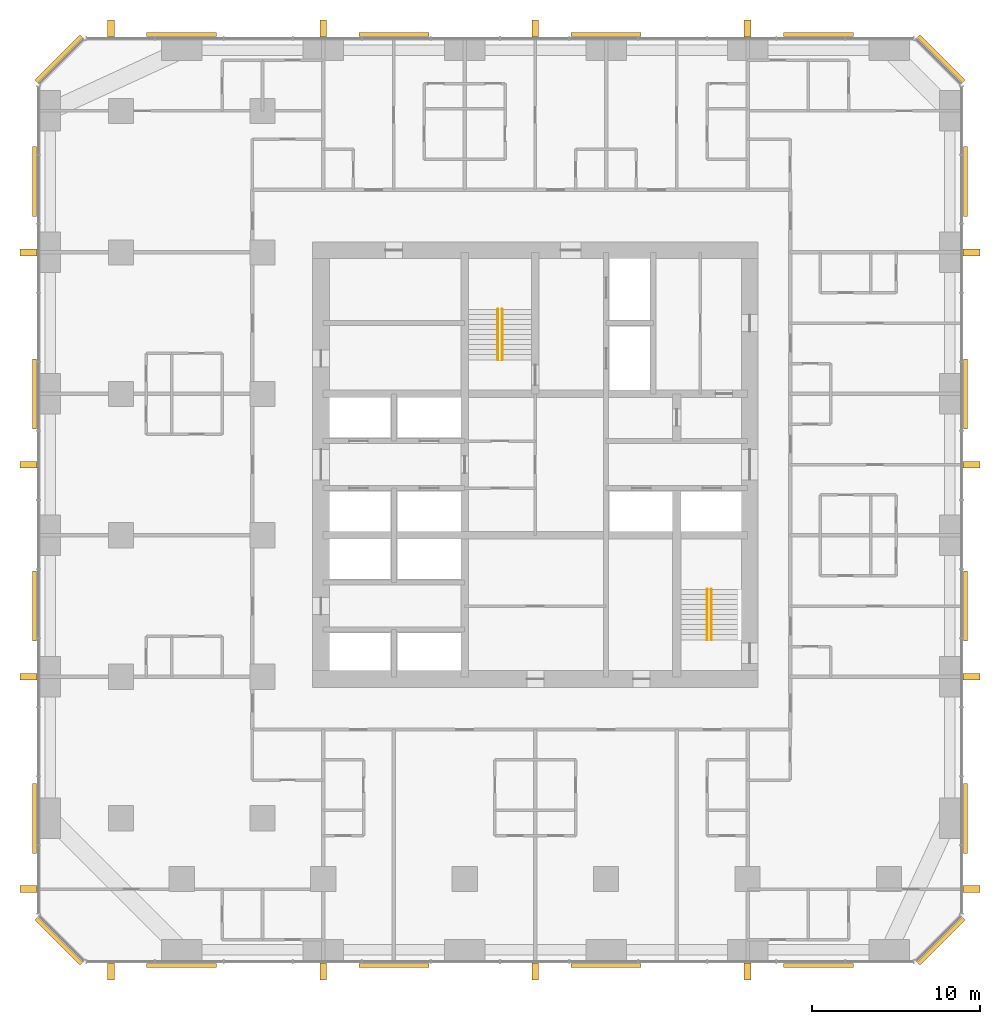
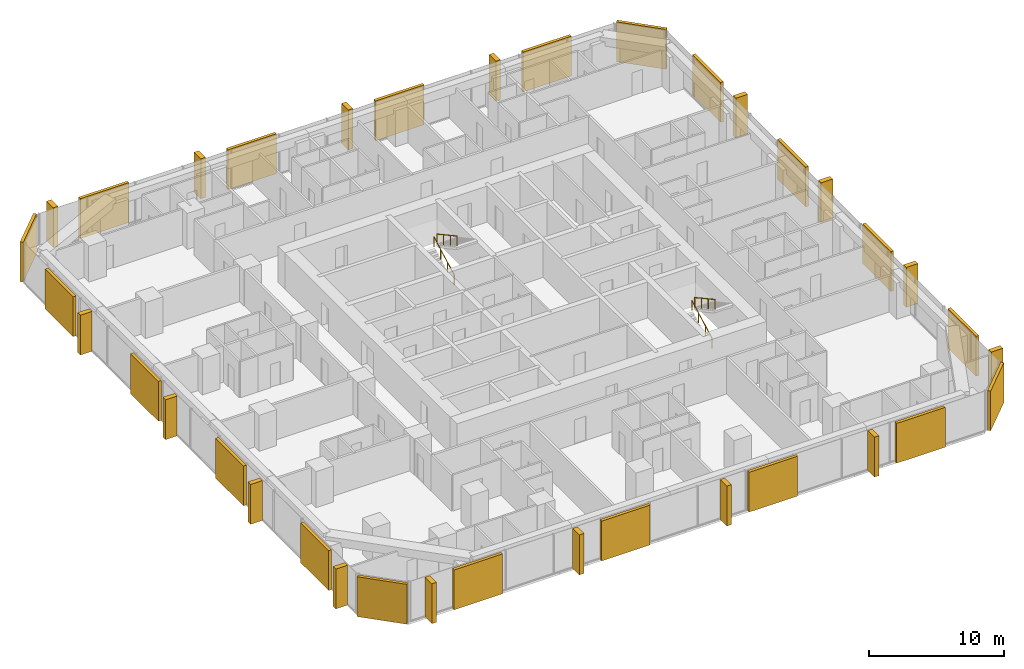
# One storey, part 14 of 14: 20 coverings, 16 shading devices, 4 railings.
"""IFC4 building model written with IfcOpenShell, lengths in metres."""

from ifc_helpers import new_model, si_unit, direction, frame, origin, origin_2d, place, context, subcontext, project, spatial, rectangle, circle, extrude, material, layer, layer_set, type_object, element, save


model = new_model("IFC4")

# Units and contexts
model_context = context("Model", 3, precision=1e-05, world=origin(), true_north=direction((0.0, 1.0)))
body_context = subcontext(model_context, "Body", "Model", "MODEL_VIEW")
ifc_project = project(units=[si_unit("LENGTHUNIT", "METRE"), si_unit("AREAUNIT", "SQUARE_METRE"), si_unit("VOLUMEUNIT", "CUBIC_METRE"), si_unit("PLANEANGLEUNIT", "RADIAN"), si_unit("MASSUNIT", "GRAM", prefix="KILO")], contexts=[model_context])

# Site, building, storey
site_placement = place(None, origin())
site = spatial("IfcSite", under=ifc_project, at=site_placement, CompositionType="ELEMENT")
building_placement = place(site_placement, origin())
building = spatial("IfcBuilding", under=site, at=building_placement, Name="Dunama Terrace Hotel", CompositionType="ELEMENT")
storey_placement = place(building_placement, frame((0.0, 0.0, 122.39990234375)))
storey = spatial("IfcBuildingStorey", under=building, at=storey_placement, Name="L31", CompositionType="ELEMENT", Elevation=122.39990234375)

# Railings
ifc_material_1 = material(Name="Stainless steel handrail", Category="steel")
railing_type = type_object("IfcRailingType", Name="Stair handrail 900", PredefinedType="HANDRAIL", material=ifc_material_1)
railing_1_placement = place(storey_placement, frame((27.175048828125, 35.625, 0.163818359375)))
element("IfcRailing", 1, at=railing_1_placement, inside=storey, type_object=railing_type, Name="Handrail ST1 L31", PredefinedType="HANDRAIL", context=body_context, shape_type="SweptSolid", body=[
    extrude(circle(Radius=0.02392578125, at=origin_2d()), frame((0.0, 0.0, 0.8759765625), z_axis=(0.0, 0.877911954615, 0.47882209634), x_axis=(-1.0, 0.0, 0.0)), (0.0, 0.0, 1.0), 3.417236328125),
    extrude(circle(Radius=0.02099609375, at=origin_2d()), origin(), (0.0, 0.0, 1.0), 0.851806640625),
    extrude(circle(Radius=0.02099609375, at=origin_2d()), frame((0.0, 1.0, 0.54541015625)), (0.0, 0.0, 1.0), 0.851806640625),
    extrude(circle(Radius=0.02099609375, at=origin_2d()), frame((0.0, 2.0, 1.0908203125)), (0.0, 0.0, 1.0), 0.851806640625),
    extrude(circle(Radius=0.02099609375, at=origin_2d()), frame((0.0, 3.0, 1.63623046875)), (0.0, 0.0, 1.0), 0.851806640625),
])
railing_2_placement = place(storey_placement, frame((27.425048828125, 38.625, 1.963623046875)))
element("IfcRailing", 2, at=railing_2_placement, inside=storey, type_object=railing_type, Name="Handrail ST1 L31", PredefinedType="HANDRAIL", context=body_context, shape_type="SweptSolid", body=[
    extrude(circle(Radius=0.02392578125, at=origin_2d()), frame((0.0, 0.0, 0.8759765625), z_axis=(0.0, -0.877881921179, 0.478877158013), x_axis=(1.0, 0.0, 0.0)), (0.0, 0.0, 1.0), 3.417236328125),
    extrude(circle(Radius=0.02099609375, at=origin_2d()), origin(), (0.0, 0.0, 1.0), 0.851806640625),
    extrude(circle(Radius=0.02099609375, at=origin_2d()), frame((0.0, -1.0, 0.54541015625)), (0.0, 0.0, 1.0), 0.851806640625),
    extrude(circle(Radius=0.02099609375, at=origin_2d()), frame((0.0, -2.0, 1.091064453125)), (0.0, 0.0, 1.0), 0.851806640625),
    extrude(circle(Radius=0.02099609375, at=origin_2d()), frame((0.0, -3.0, 1.636474609375)), (0.0, 0.0, 1.0), 0.851806640625),
])
railing_3_placement = place(storey_placement, frame((39.60009765625, 19.0, 0.163818359375)))
element("IfcRailing", 3, at=railing_3_placement, inside=storey, type_object=railing_type, Name="Handrail ST2 L31", PredefinedType="HANDRAIL", context=body_context, shape_type="SweptSolid", body=[
    extrude(circle(Radius=0.02392578125, at=origin_2d()), frame((0.0, 0.0, 0.8759765625), z_axis=(0.0, 0.877911954615, 0.47882209634), x_axis=(-1.0, 0.0, 0.0)), (0.0, 0.0, 1.0), 3.417236328125),
    extrude(circle(Radius=0.02099609375, at=origin_2d()), origin(), (0.0, 0.0, 1.0), 0.851806640625),
    extrude(circle(Radius=0.02099609375, at=origin_2d()), frame((0.0, 1.0, 0.54541015625)), (0.0, 0.0, 1.0), 0.851806640625),
    extrude(circle(Radius=0.02099609375, at=origin_2d()), frame((0.0, 2.0, 1.0908203125)), (0.0, 0.0, 1.0), 0.851806640625),
    extrude(circle(Radius=0.02099609375, at=origin_2d()), frame((0.0, 3.0, 1.63623046875)), (0.0, 0.0, 1.0), 0.851806640625),
])
railing_4_placement = place(storey_placement, frame((39.85009765625, 22.0, 1.963623046875)))
element("IfcRailing", 4, at=railing_4_placement, inside=storey, type_object=railing_type, Name="Handrail ST2 L31", PredefinedType="HANDRAIL", context=body_context, shape_type="SweptSolid", body=[
    extrude(circle(Radius=0.02392578125, at=origin_2d()), frame((0.0, 0.0, 0.8759765625), z_axis=(0.0, -0.877881921179, 0.478877158013), x_axis=(1.0, 0.0, 0.0)), (0.0, 0.0, 1.0), 3.417236328125),
    extrude(circle(Radius=0.02099609375, at=origin_2d()), origin(), (0.0, 0.0, 1.0), 0.851806640625),
    extrude(circle(Radius=0.02099609375, at=origin_2d()), frame((0.0, -1.0, 0.54541015625)), (0.0, 0.0, 1.0), 0.851806640625),
    extrude(circle(Radius=0.02099609375, at=origin_2d()), frame((0.0, -2.0, 1.091064453125)), (0.0, 0.0, 1.0), 0.851806640625),
    extrude(circle(Radius=0.02099609375, at=origin_2d()), frame((0.0, -3.0, 1.636474609375)), (0.0, 0.0, 1.0), 0.851806640625),
])

# Coverings
ifc_material_2 = material(Name="Warm reconstituted stone panel", Category="masonry")
ifc_layer_1 = layer(ifc_material_2, 0.25)
ifc_layer_set_1 = layer_set([ifc_layer_1], Name="Stone diagonal panel")
covering_type = type_object("IfcCoveringType", Name="Stone diagonal panel", PredefinedType="CLADDING", material=ifc_layer_set_1)
for number, where, z_axis, x_axis, name in (
    (5, (8.39990234375, -0.343017578125, 0.001953125), (0.0, 0.0, 1.0), (1.0, 0.0, 0.0), "Stone diagonal panel L31"),
    (6, (21.0, -0.343017578125, 0.001953125), (0.0, 0.0, 1.0), (1.0, 0.0, 0.0), "Stone diagonal panel L31"),
    (7, (33.60009765625, -0.343017578125, 0.001953125), (0.0, 0.0, 1.0), (1.0, 0.0, 0.0), "Stone diagonal panel L31"),
    (8, (46.199951171875, -0.343017578125, 0.001953125), (0.0, 0.0, 1.0), (1.0, 0.0, 0.0), "Stone diagonal panel L31"),
):
    element("IfcCovering", number, at=place(storey_placement, frame(where, z_axis=z_axis, x_axis=x_axis)), inside=storey, type_object=covering_type, Name=name, PredefinedType="CLADDING", context=body_context, shape_type="SweptSolid", body=[
        extrude(rectangle(XDim=4.14990234375, YDim=0.25, at=origin_2d()), origin(), (0.0, 0.0, 1.0), 3.595947265625),
    ])
covering_1_placement = place(storey_placement, frame((53.492919921875, 1.10693359375, 0.001953125), z_axis=(0.0, 0.0, 1.0), x_axis=(0.707106781187, 0.707106781187, 0.0)))
element("IfcCovering", 9, at=covering_1_placement, inside=storey, type_object=covering_type, Name="Stone diagonal panel L31", PredefinedType="CLADDING", context=body_context, shape_type="SweptSolid", body=[
    extrude(rectangle(XDim=3.808349609375, YDim=0.25, at=origin_2d()), origin(), (0.0, 0.0, 1.0), 3.595947265625),
])
for number, where, z_axis, x_axis, name in (
    (10, (54.943115234375, 8.39990234375, 0.001953125), (0.0, 0.0, 1.0), (0.0, 1.0, 0.0), "Stone diagonal panel L31"),
    (11, (54.943115234375, 21.0, 0.001953125), (0.0, 0.0, 1.0), (0.0, 1.0, 0.0), "Stone diagonal panel L31"),
    (12, (54.943115234375, 33.60009765625, 0.001953125), (0.0, 0.0, 1.0), (0.0, 1.0, 0.0), "Stone diagonal panel L31"),
    (13, (54.943115234375, 46.199951171875, 0.001953125), (0.0, 0.0, 1.0), (0.0, 1.0, 0.0), "Stone diagonal panel L31"),
):
    element("IfcCovering", number, at=place(storey_placement, frame(where, z_axis=z_axis, x_axis=x_axis)), inside=storey, type_object=covering_type, Name=name, PredefinedType="CLADDING", context=body_context, shape_type="SweptSolid", body=[
        extrude(rectangle(XDim=4.14990234375, YDim=0.25, at=origin_2d()), origin(), (0.0, 0.0, 1.0), 3.595947265625),
    ])
covering_2_placement = place(storey_placement, frame((53.492919921875, 53.492919921875, 0.001953125), z_axis=(0.0, 0.0, 1.0), x_axis=(-0.707106781187, 0.707106781187, 0.0)))
element("IfcCovering", 14, at=covering_2_placement, inside=storey, type_object=covering_type, Name="Stone diagonal panel L31", PredefinedType="CLADDING", context=body_context, shape_type="SweptSolid", body=[
    extrude(rectangle(XDim=3.808349609375, YDim=0.25, at=origin_2d()), origin(), (0.0, 0.0, 1.0), 3.595947265625),
])
for number, where, z_axis, x_axis, name in (
    (15, (46.199951171875, 54.943115234375, 0.001953125), (0.0, 0.0, 1.0), (-1.0, 0.0, 0.0), "Stone diagonal panel L31"),
    (16, (33.60009765625, 54.943115234375, 0.001953125), (0.0, 0.0, 1.0), (-1.0, 0.0, 0.0), "Stone diagonal panel L31"),
    (17, (21.0, 54.943115234375, 0.001953125), (0.0, 0.0, 1.0), (-1.0, 0.0, 0.0), "Stone diagonal panel L31"),
    (18, (8.39990234375, 54.943115234375, 0.001953125), (0.0, 0.0, 1.0), (-1.0, 0.0, 0.0), "Stone diagonal panel L31"),
):
    element("IfcCovering", number, at=place(storey_placement, frame(where, z_axis=z_axis, x_axis=x_axis)), inside=storey, type_object=covering_type, Name=name, PredefinedType="CLADDING", context=body_context, shape_type="SweptSolid", body=[
        extrude(rectangle(XDim=4.14990234375, YDim=0.25, at=origin_2d()), origin(), (0.0, 0.0, 1.0), 3.595947265625),
    ])
covering_3_placement = place(storey_placement, frame((1.10693359375, 53.492919921875, 0.001953125), z_axis=(0.0, 0.0, 1.0), x_axis=(-0.707106781187, -0.707106781187, 0.0)))
element("IfcCovering", 19, at=covering_3_placement, inside=storey, type_object=covering_type, Name="Stone diagonal panel L31", PredefinedType="CLADDING", context=body_context, shape_type="SweptSolid", body=[
    extrude(rectangle(XDim=3.808349609375, YDim=0.25, at=origin_2d()), origin(), (0.0, 0.0, 1.0), 3.595947265625),
])
for number, where, z_axis, x_axis, name in (
    (20, (-0.343017578125, 46.199951171875, 0.001953125), (0.0, 0.0, 1.0), (0.0, -1.0, 0.0), "Stone diagonal panel L31"),
    (21, (-0.343017578125, 33.60009765625, 0.001953125), (0.0, 0.0, 1.0), (0.0, -1.0, 0.0), "Stone diagonal panel L31"),
    (22, (-0.343017578125, 21.0, 0.001953125), (0.0, 0.0, 1.0), (0.0, -1.0, 0.0), "Stone diagonal panel L31"),
    (23, (-0.343017578125, 8.39990234375, 0.001953125), (0.0, 0.0, 1.0), (0.0, -1.0, 0.0), "Stone diagonal panel L31"),
):
    element("IfcCovering", number, at=place(storey_placement, frame(where, z_axis=z_axis, x_axis=x_axis)), inside=storey, type_object=covering_type, Name=name, PredefinedType="CLADDING", context=body_context, shape_type="SweptSolid", body=[
        extrude(rectangle(XDim=4.14990234375, YDim=0.25, at=origin_2d()), origin(), (0.0, 0.0, 1.0), 3.595947265625),
    ])
covering_4_placement = place(storey_placement, frame((1.10693359375, 1.10693359375, 0.001953125), z_axis=(0.0, 0.0, 1.0), x_axis=(0.707106781187, -0.707106781187, 0.0)))
element("IfcCovering", 24, at=covering_4_placement, inside=storey, type_object=covering_type, Name="Stone diagonal panel L31", PredefinedType="CLADDING", context=body_context, shape_type="SweptSolid", body=[
    extrude(rectangle(XDim=3.808349609375, YDim=0.25, at=origin_2d()), origin(), (0.0, 0.0, 1.0), 3.595947265625),
])

# Shading devices
ifc_material_3 = material(Name="Warm reconstituted stone fin", Category="masonry")
ifc_layer_2 = layer(ifc_material_3, 0.39990234375)
ifc_layer_set_2 = layer_set([ifc_layer_2], Name="Warm stone fin 400x1000")
shading_device_type = type_object("IfcShadingDeviceType", Name="Warm stone fin 400x1000", PredefinedType="USERDEFINED", material=ifc_layer_set_2)
for number, where, z_axis, x_axis, name in (
    (25, (4.199951171875, -0.697998046875, 0.0), (0.0, 0.0, 1.0), (1.0, 0.0, 0.0), "Stone fin"),
    (26, (16.800048828125, -0.697998046875, 0.0), (0.0, 0.0, 1.0), (1.0, 0.0, 0.0), "Stone fin"),
    (27, (29.39990234375, -0.697998046875, 0.0), (0.0, 0.0, 1.0), (1.0, 0.0, 0.0), "Stone fin"),
    (28, (42.0, -0.697998046875, 0.0), (0.0, 0.0, 1.0), (1.0, 0.0, 0.0), "Stone fin"),
    (29, (55.298095703125, 4.199951171875, 0.0), (0.0, 0.0, 1.0), (0.0, 1.0, 0.0), "Stone fin"),
    (30, (55.298095703125, 16.800048828125, 0.0), (0.0, 0.0, 1.0), (0.0, 1.0, 0.0), "Stone fin"),
    (31, (55.298095703125, 29.39990234375, 0.0), (0.0, 0.0, 1.0), (0.0, 1.0, 0.0), "Stone fin"),
    (32, (55.298095703125, 42.0, 0.0), (0.0, 0.0, 1.0), (0.0, 1.0, 0.0), "Stone fin"),
    (33, (42.0, 55.298095703125, 0.0), (0.0, 0.0, 1.0), (-1.0, 0.0, 0.0), "Stone fin"),
    (34, (29.39990234375, 55.298095703125, 0.0), (0.0, 0.0, 1.0), (-1.0, 0.0, 0.0), "Stone fin"),
    (35, (16.800048828125, 55.298095703125, 0.0), (0.0, 0.0, 1.0), (-1.0, 0.0, 0.0), "Stone fin"),
    (36, (4.199951171875, 55.298095703125, 0.0), (0.0, 0.0, 1.0), (-1.0, 0.0, 0.0), "Stone fin"),
    (37, (-0.697998046875, 42.0, 0.0), (0.0, 0.0, 1.0), (0.0, -1.0, 0.0), "Stone fin"),
    (38, (-0.697998046875, 29.39990234375, 0.0), (0.0, 0.0, 1.0), (0.0, -1.0, 0.0), "Stone fin"),
    (39, (-0.697998046875, 16.800048828125, 0.0), (0.0, 0.0, 1.0), (0.0, -1.0, 0.0), "Stone fin"),
    (40, (-0.697998046875, 4.199951171875, 0.0), (0.0, 0.0, 1.0), (0.0, -1.0, 0.0), "Stone fin"),
):
    element("IfcShadingDevice", number, at=place(storey_placement, frame(where, z_axis=z_axis, x_axis=x_axis)), inside=storey, type_object=shading_device_type, Name=name, ObjectType="FIN", PredefinedType="USERDEFINED", context=body_context, shape_type="SweptSolid", body=[
        extrude(rectangle(XDim=0.39990234375, YDim=1.0, at=origin_2d()), origin(), (0.0, 0.0, 1.0), 3.60009765625),
    ])

save(model, "model.ifc")
